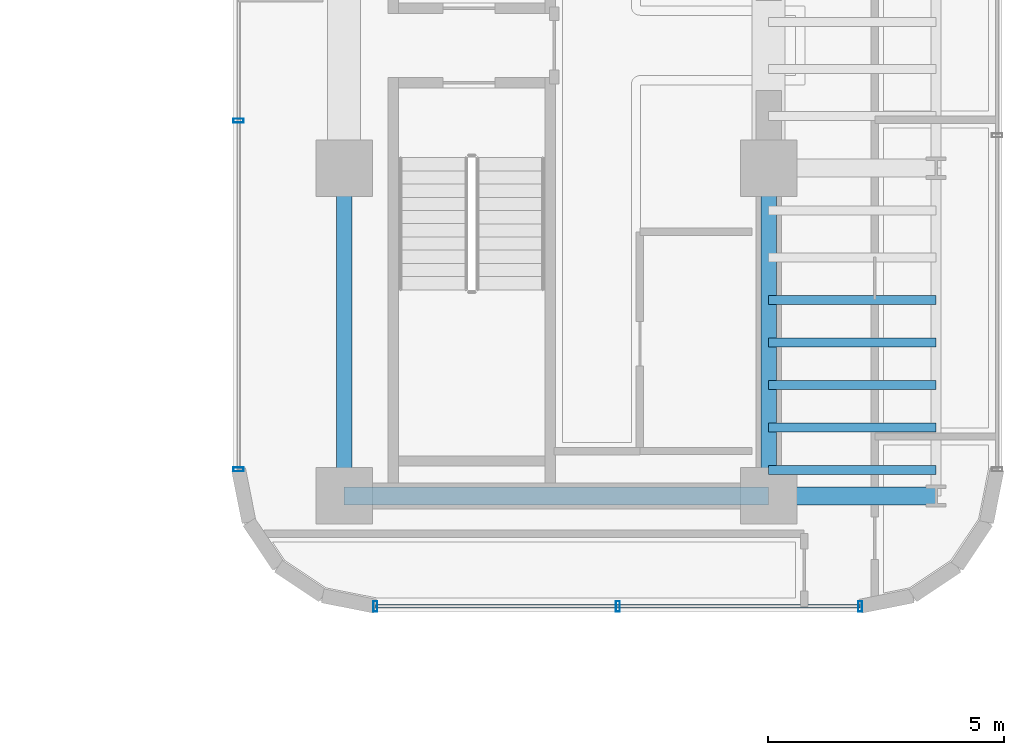
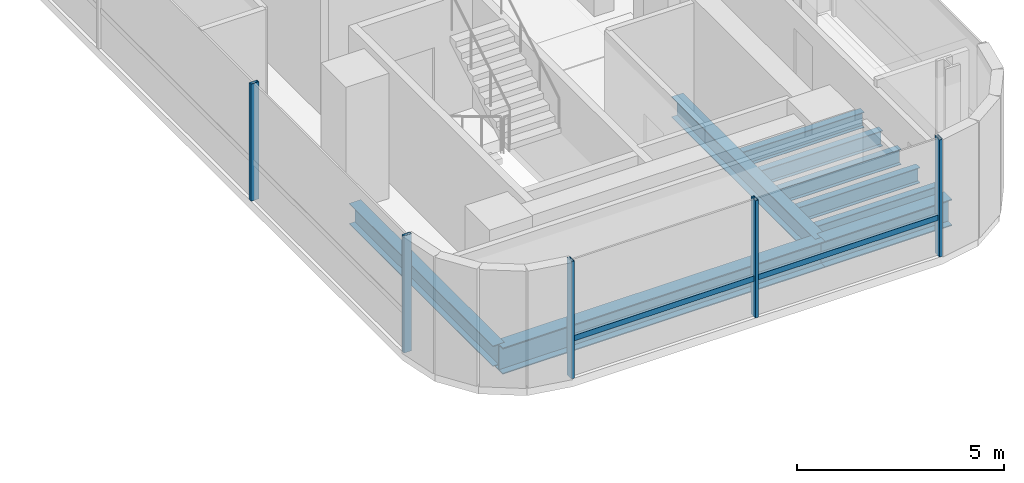
# One storey, part 12 of 33: 9 beams, 6 members, 2 elements without a shape of their own.
"""IFC4 building model written with IfcOpenShell, lengths in metres."""

import ifcopenshell
import ifcopenshell.guid

model = None  # the IFC model being written
_history = None  # IfcOwnerHistory: only IFC2X3 demands one
_inside = {}  # id of a spatial element -> (the spatial element, [elements in it])
_under = {}  # id of a project, library or spatial element -> (it, [spatial elements below it])
_declared = {}  # id of a project -> (the project, [libraries it declares])
_typed = {}  # id of a type object -> (the type object, [elements of that type])
_made_of = {}  # id of a material, layer set ... -> (it, [elements and type objects made of it])


def new_model(schema):
    """Start an empty IFC model of exactly this schema.

    Asked for "IFC4X3", IfcOpenShell would pick the latest addendum, in which some entities
    have other attributes; the version numbers below select the first issue.
    IFC2X3 requires an IfcOwnerHistory on every rooted entity: one is made here for all.
    """
    global model, _history
    if schema == "IFC4X3":
        model = ifcopenshell.file(schema_version=(4, 3, 0, 0))
    else:
        model = ifcopenshell.file(schema=schema)
    _inside.clear()
    _under.clear()
    _declared.clear()
    _typed.clear()
    _made_of.clear()
    _history = None
    if model.schema == "IFC2X3":
        org = make("IfcOrganization", Name="unknown")
        user = make(
            "IfcPersonAndOrganization",
            ThePerson=make("IfcPerson", FamilyName="unknown"),
            TheOrganization=org,
        )
        app = make(
            "IfcApplication",
            ApplicationDeveloper=org,
            Version="unknown",
            ApplicationFullName="unknown",
            ApplicationIdentifier="unknown",
        )
        _history = make(
            "IfcOwnerHistory",
            OwningUser=user,
            OwningApplication=app,
            ChangeAction="ADDED",
            CreationDate=0,
        )
    return model


def make(cls, **values):
    """One entity of the class cls with the attributes given. An attribute that is None is left unset."""
    return model.create_entity(
        cls, **{name: value for name, value in values.items() if value is not None}
    )


def rooted(cls, **values):
    """An entity with a GlobalId (a new one), such as an element, a storey or a relation."""
    return make(cls, GlobalId=ifcopenshell.guid.new(), OwnerHistory=_history, **values)


def si_unit(unit_type, name, prefix=None):
    """IfcSIUnit, for example si_unit("LENGTHUNIT", "METRE", prefix="MILLI")."""
    return make("IfcSIUnit", UnitType=unit_type, Prefix=prefix, Name=name)


def assignment(units):
    """IfcUnitAssignment: the units of a project."""
    return None if units is None else make("IfcUnitAssignment", Units=units)


def point(xyz):
    """IfcCartesianPoint."""
    return None if xyz is None else make("IfcCartesianPoint", Coordinates=xyz)


def direction(xyz):
    """IfcDirection."""
    return None if xyz is None else make("IfcDirection", DirectionRatios=xyz)


def frame(location, z_axis=None, x_axis=None):
    """IfcAxis2Placement3D, a coordinate frame: its origin and axes. An axis left out is left unset."""
    return make(
        "IfcAxis2Placement3D",
        Location=point(location),
        Axis=direction(z_axis),
        RefDirection=direction(x_axis),
    )


def frame_2d(location, x_axis=None):
    """IfcAxis2Placement2D, a coordinate frame in the plane: its origin and x axis."""
    return make(
        "IfcAxis2Placement2D", Location=point(location), RefDirection=direction(x_axis)
    )


def origin():
    """The frame at (0, 0, 0) with its axes left unset."""
    return frame((0.0, 0.0, 0.0))


def origin_2d():
    """The frame at (0, 0) in the plane with its x axis left unset."""
    return frame_2d((0.0, 0.0))


def place(relative_to, where):
    """IfcLocalPlacement: puts the frame where relative to a parent placement (None: the world)."""
    return make(
        "IfcLocalPlacement", PlacementRelTo=relative_to, RelativePlacement=where
    )


def context(
    kind, dimensions, precision=None, world=None, true_north=None, identifier=None
):
    """IfcGeometricRepresentationContext, for example the 3D "Model" context."""
    return make(
        "IfcGeometricRepresentationContext",
        ContextIdentifier=identifier,
        ContextType=kind,
        CoordinateSpaceDimension=dimensions,
        Precision=precision,
        WorldCoordinateSystem=world,
        TrueNorth=true_north,
    )


def subcontext(parent, identifier, kind, view, scale=None):
    """IfcGeometricRepresentationSubContext, for example "Body" below "Model"."""
    return make(
        "IfcGeometricRepresentationSubContext",
        ContextIdentifier=identifier,
        ContextType=kind,
        ParentContext=parent,
        TargetScale=scale,
        TargetView=view,
    )


def project(units=None, contexts=None):
    """IfcProject with its units and contexts."""
    return rooted(
        "IfcProject",
        Name="project",
        RepresentationContexts=contexts,
        UnitsInContext=assignment(units),
    )


def spatial(cls, under=None, at=None, **own):
    """A site, building, storey or space (cls), placed at a placement, below another one or the project."""
    s = rooted(cls, ObjectPlacement=at, **own)
    if under is not None:
        _under.setdefault(under.id(), (under, []))[1].append(s)
    return s


def profile(cls, at=None, kind="AREA", **sizes):
    """A parametric profile (cls). Its sizes go by their IFC names, for example OverallWidth=200.0."""
    return make(cls, ProfileType=kind, Position=at, **sizes)


def hollow_rectangle(**sizes):
    """IfcRectangleHollowProfileDef."""
    return profile("IfcRectangleHollowProfileDef", **sizes)


def i_section(**sizes):
    """IfcIShapeProfileDef."""
    return profile("IfcIShapeProfileDef", **sizes)


def extrude(swept, where, along, depth):
    """IfcExtrudedAreaSolid: the profile swept, set in the frame where, extruded along a direction by depth."""
    return make(
        "IfcExtrudedAreaSolid",
        SweptArea=swept,
        Position=where,
        ExtrudedDirection=direction(along),
        Depth=depth,
    )


def shape(context_of_items, identifier, shape_type, items):
    """IfcShapeRepresentation: the items that make up one representation, for example the "Body"."""
    return make(
        "IfcShapeRepresentation",
        ContextOfItems=context_of_items,
        RepresentationIdentifier=identifier,
        RepresentationType=shape_type,
        Items=items,
    )


def source(mapping_origin, context_of_items, identifier, shape_type, items):
    """IfcRepresentationMap: a shape defined once, which mapped items show again and again."""
    return make(
        "IfcRepresentationMap",
        MappingOrigin=mapping_origin,
        MappedRepresentation=shape(context_of_items, identifier, shape_type, items),
    )


def transform(
    local_origin,
    x_axis=None,
    y_axis=None,
    z_axis=None,
    scale=None,
    scale2=None,
    scale3=None,
    uniform=True,
):
    """IfcCartesianTransformationOperator3D, or its non-uniform kind. x_axis, y_axis, z_axis: its Axis1, 2, 3."""
    if uniform:
        return make(
            "IfcCartesianTransformationOperator3D",
            Axis1=direction(x_axis),
            Axis2=direction(y_axis),
            LocalOrigin=point(local_origin),
            Scale=scale,
            Axis3=direction(z_axis),
        )
    return make(
        "IfcCartesianTransformationOperator3DnonUniform",
        Axis1=direction(x_axis),
        Axis2=direction(y_axis),
        LocalOrigin=point(local_origin),
        Scale=scale,
        Axis3=direction(z_axis),
        Scale2=scale2,
        Scale3=scale3,
    )


def mapped(mapping_source, mapping_target):
    """IfcMappedItem: shows the shape of a source again, moved by a transform."""
    return make(
        "IfcMappedItem", MappingSource=mapping_source, MappingTarget=mapping_target
    )


def material(Name=None, Category=None):
    """IfcMaterial."""
    return make("IfcMaterial", Name=Name, Category=Category)


def material_profile(
    of_material, cross_section, Name=None, Category=None, Priority=None
):
    """IfcMaterialProfile: a cross section and its material."""
    return make(
        "IfcMaterialProfile",
        Name=Name,
        Material=of_material,
        Profile=cross_section,
        Priority=Priority,
        Category=Category,
    )


def profile_set(profiles, Name=None, composite=None):
    """IfcMaterialProfileSet."""
    return make(
        "IfcMaterialProfileSet",
        Name=Name,
        MaterialProfiles=profiles,
        CompositeProfile=composite,
    )


def made_of(thing, what):
    """Note that an element or type object is made of a material, layer set ...; save() writes the relation."""
    if what is not None:
        _made_of.setdefault(what.id(), (what, []))[1].append(thing)
    return thing


def type_object(cls, material=None, **own):
    """A type object (cls), such as IfcWallType, which elements share."""
    return made_of(rooted(cls, **own), material)


def element(
    cls,
    number,
    at=None,
    inside=None,
    cuts=None,
    type_object=None,
    material=None,
    context=None,
    identifier="Body",
    shape_type=None,
    held_by="IfcProductDefinitionShape",
    body=None,
    shapes=None,
    **own,
):
    """One element of the class cls, such as IfcWall. Its Tag is "e" and its number.

    at: its placement. inside: the storey or other place that contains it. cuts: it is an
    opening in that element (IfcRelVoidsElement). A single representation is given by context,
    identifier, shape_type and body (its items); several are given by shapes. held_by: the class
    of the entity that holds the representations. save() writes the other relations.
    """
    e = rooted(cls, Tag="e%d" % number, ObjectPlacement=at, **own)
    if body is not None:
        shapes = [shape(context, identifier, shape_type, body)]
    if shapes is not None:
        e.Representation = make(held_by, Representations=shapes)
    if inside is not None:
        _inside.setdefault(inside.id(), (inside, []))[1].append(e)
    if cuts is not None:
        rooted(
            "IfcRelVoidsElement", RelatingBuildingElement=cuts, RelatedOpeningElement=e
        )
    if type_object is not None:
        _typed.setdefault(type_object.id(), (type_object, []))[1].append(e)
    return made_of(e, material)


def aggregate(whole, parts):
    """IfcRelAggregates: a whole, such as a stair, and the parts it consists of."""
    return rooted("IfcRelAggregates", RelatingObject=whole, RelatedObjects=parts)


def save(model, path):
    """Write the relations noted so far, then the file.

    IfcRelAggregates (storeys below a building ...), IfcRelContainedInSpatialStructure (elements
    in a storey), IfcRelDefinesByType, IfcRelAssociatesMaterial and IfcRelDeclares: one each for
    every whole, place, type object, material and project.
    """
    for whole, parts in _under.values():
        aggregate(whole, parts)
    for where, things in _inside.values():
        rooted(
            "IfcRelContainedInSpatialStructure",
            RelatedElements=things,
            RelatingStructure=where,
        )
    for kind, things in _typed.values():
        rooted("IfcRelDefinesByType", RelatedObjects=things, RelatingType=kind)
    for what, things in _made_of.values():
        rooted("IfcRelAssociatesMaterial", RelatedObjects=things, RelatingMaterial=what)
    for by, libraries in _declared.values():
        rooted("IfcRelDeclares", RelatingContext=by, RelatedDefinitions=libraries)
    model.write(path)


model = new_model("IFC4")

# Units and contexts
model_context = context("Model", 3, precision=1e-05, world=origin(), true_north=direction((0.0, 1.0)))
body_context = subcontext(model_context, "Body", "Model", "MODEL_VIEW")
ifc_project = project(units=[si_unit("LENGTHUNIT", "METRE"), si_unit("AREAUNIT", "SQUARE_METRE"), si_unit("VOLUMEUNIT", "CUBIC_METRE"), si_unit("PLANEANGLEUNIT", "RADIAN"), si_unit("MASSUNIT", "GRAM", prefix="KILO")], contexts=[model_context])

# Site, building, storey
site_placement = place(None, origin())
site = spatial("IfcSite", under=ifc_project, at=site_placement, CompositionType="ELEMENT")
building_placement = place(site_placement, origin())
building = spatial("IfcBuilding", under=site, at=building_placement, Name="Valdorenza Pilgrim Sanctuary Tower", CompositionType="ELEMENT")
storey_placement = place(building_placement, frame((0.0, 0.0, 157.5)))
storey = spatial("IfcBuildingStorey", under=building, at=storey_placement, Name="L40", CompositionType="ELEMENT", Elevation=157.5)

# Beams
ifc_material_1 = material(Name="Steel ASTM A992 Grade 50", Category="steel")
ifc_material_profile_1 = material_profile(ifc_material_1, i_section(OverallWidth=0.323974609375, OverallDepth=0.611083984375, WebThickness=0.0126953125, FlangeThickness=0.01904296875, at=origin_2d()), Name="W24X104")
ifc_profile_set_1 = profile_set([ifc_material_profile_1], Name="Steel ASTM A992 Grade 50")
beam_type_1 = type_object("IfcBeamType", Name="STR-BM-GRD-W24B", PredefinedType="BEAM", material=ifc_profile_set_1)
shared_shape_1 = source(origin(), body_context, "Body", "SweptSolid", [
    extrude(i_section(OverallWidth=0.323974609375, OverallDepth=0.611083984375, WebThickness=0.0126953125, FlangeThickness=0.01904296875, at=origin_2d()), origin(), (0.0, 0.0, 1.0), 6.949951171875),
])
for number, where, z_axis, x_axis, name in (
    (1, (15.85009765625, -9.550048828125, -0.54541015625), (0.0, 1.0, 0.0), (-1.0, 0.0, 0.0), "L40 Core Tie Girder CB-W-S1M0"),
    (2, (24.85009765625, -9.550048828125, -0.54541015625), (0.0, 1.0, 0.0), (-1.0, 0.0, 0.0), "L40 Core Tie Girder CB-E-S1M0"),
):
    element("IfcBeam", number, at=place(storey_placement, frame(where, z_axis=z_axis, x_axis=x_axis)), inside=storey, type_object=beam_type_1, Name=name, PredefinedType="BEAM", context=body_context, shape_type="MappedRepresentation", body=[
        mapped(shared_shape_1, transform((0.0, 0.0, 0.0), x_axis=(1.0, 0.0, 0.0), y_axis=(0.0, 1.0, 0.0), z_axis=(0.0, 0.0, 1.0), scale=1.0)),
    ])
ifc_material_profile_2 = material_profile(ifc_material_1, i_section(OverallWidth=0.382080078125, OverallDepth=0.779052734375, WebThickness=0.01806640625, FlangeThickness=0.030029296875, at=origin_2d()), Name="W30X191")
ifc_profile_set_2 = profile_set([ifc_material_profile_2], Name="Steel ASTM A992 Grade 50")
beam_type_2 = type_object("IfcBeamType", Name="STR-BM-GRD-W30", PredefinedType="BEAM", material=ifc_profile_set_2)
shared_shape_2 = source(origin(), body_context, "Body", "SweptSolid", [
    extrude(i_section(OverallWidth=0.382080078125, OverallDepth=0.779052734375, WebThickness=0.01806640625, FlangeThickness=0.030029296875, at=origin_2d()), origin(), (0.0, 0.0, 1.0), 9.0),
])
beam_1_placement = place(storey_placement, frame((15.85009765625, -9.550048828125, -0.62939453125), z_axis=(1.0, 0.0, 0.0), x_axis=(0.0, 1.0, 0.0)))
element("IfcBeam", 3, at=beam_1_placement, inside=storey, type_object=beam_type_2, Name="L40 Floor Girder CB-XC-S1", PredefinedType="BEAM", context=body_context, shape_type="MappedRepresentation", body=[
    mapped(shared_shape_2, transform((0.0, 0.0, 0.0), x_axis=(1.0, 0.0, 0.0), y_axis=(0.0, 1.0, 0.0), z_axis=(0.0, 0.0, 1.0), scale=1.0)),
])
shared_shape_3 = source(origin(), body_context, "Body", "SweptSolid", [
    extrude(i_section(OverallWidth=0.382080078125, OverallDepth=0.779052734375, WebThickness=0.01806640625, FlangeThickness=0.030029296875, at=origin_2d()), origin(), (0.0, 0.0, 1.0), 3.5498046875),
])
beam_2_placement = place(storey_placement, frame((24.85009765625, -9.550048828125, -0.62939453125), z_axis=(1.0, 0.0, 0.0), x_axis=(0.0, 1.0, 0.0)))
element("IfcBeam", 4, at=beam_2_placement, inside=storey, type_object=beam_type_2, Name="L40 Floor Girder WB-XE-S1", PredefinedType="BEAM", context=body_context, shape_type="MappedRepresentation", body=[
    mapped(shared_shape_3, transform((0.0, 0.0, 0.0), x_axis=(1.0, 0.0, 0.0), y_axis=(0.0, 1.0, 0.0), z_axis=(0.0, 0.0, 1.0), scale=1.0)),
])
ifc_material_profile_3 = material_profile(ifc_material_1, i_section(OverallWidth=0.19091796875, OverallDepth=0.45703125, WebThickness=0.009033203125, FlangeThickness=0.014404296875, at=origin_2d()), Name="W18X50")
ifc_profile_set_3 = profile_set([ifc_material_profile_3], Name="Steel ASTM A992 Grade 50")
beam_type_3 = type_object("IfcBeamType", Name="STR-BM-JST-W18B", PredefinedType="JOIST", material=ifc_profile_set_3)
shared_shape_4 = source(origin(), body_context, "Body", "SweptSolid", [
    extrude(i_section(OverallWidth=0.19091796875, OverallDepth=0.45703125, WebThickness=0.009033203125, FlangeThickness=0.014404296875, at=origin_2d()), origin(), (0.0, 0.0, 1.0), 3.5498046875),
])
for number, where, z_axis, x_axis, name in (
    (5, (24.85009765625, -9.0, -0.468505859375), (1.0, 0.0, 0.0), (0.0, 1.0, 0.0), "L40 Composite Floor Joist JST-WB-1"),
    (6, (24.85009765625, -8.10009765625, -0.468505859375), (1.0, 0.0, 0.0), (0.0, 1.0, 0.0), "L40 Composite Floor Joist JST-WB-2"),
    (7, (24.85009765625, -7.199951171875, -0.468505859375), (1.0, 0.0, 0.0), (0.0, 1.0, 0.0), "L40 Composite Floor Joist JST-WB-3"),
    (8, (24.85009765625, -6.300048828125, -0.468505859375), (1.0, 0.0, 0.0), (0.0, 1.0, 0.0), "L40 Composite Floor Joist JST-WB-4"),
    (9, (24.85009765625, -5.39990234375, -0.468505859375), (1.0, 0.0, 0.0), (0.0, 1.0, 0.0), "L40 Composite Floor Joist JST-WB-5"),
):
    element("IfcBeam", number, at=place(storey_placement, frame(where, z_axis=z_axis, x_axis=x_axis)), inside=storey, type_object=beam_type_3, Name=name, PredefinedType="JOIST", context=body_context, shape_type="MappedRepresentation", body=[
        mapped(shared_shape_4, transform((0.0, 0.0, 0.0), x_axis=(1.0, 0.0, 0.0), y_axis=(0.0, 1.0, 0.0), z_axis=(0.0, 0.0, 1.0), scale=1.0)),
    ])

# Curtain wall, members
ifc_material_2 = material(Name="Curtain-wall IGU glazing", Category="glass")
curtain_wall_type = type_object("IfcCurtainWallType", Name="CW-SYS-03", PredefinedType="NOTDEFINED", material=ifc_material_2)
curtain_wall_1_placement = place(storey_placement, origin())
curtain_wall_1 = element("IfcCurtainWall", 10, at=curtain_wall_1_placement, inside=storey, type_object=curtain_wall_type, Name="L40 Curtain Wall CW-L40-2-1", PredefinedType="NOTDEFINED")
ifc_material_3 = material(Name="Anodised aluminium AW-6060", Category="aluminium")
ifc_material_profile_4 = material_profile(ifc_material_3, hollow_rectangle(XDim=0.0849609375, YDim=0.219970703125, WallThickness=0.0048828125, at=origin_2d()), Name="ALU-M 220x85x5")
ifc_profile_set_4 = profile_set([ifc_material_profile_4], Name="Anodised aluminium AW-6060")
member_type_1 = type_object("IfcMemberType", Name="CW-MUL-03", PredefinedType="MULLION", material=ifc_profile_set_4)
shared_shape_5 = source(origin(), body_context, "Body", "SweptSolid", [
    extrude(hollow_rectangle(XDim=0.0849609375, YDim=0.219970703125, WallThickness=0.0048828125, at=origin_2d()), origin(), (0.0, 0.0, 1.0), 3.4599609375),
])
member_1_placement = place(storey_placement, frame((13.610107421875, -8.9892578125, 0.0), z_axis=(0.0, 0.0, 1.0), x_axis=(0.0, 1.0, 0.0)))
member_1 = element("IfcMember", 11, at=member_1_placement, type_object=member_type_1, Name="CW-L40-2-1 Mullion 1", PredefinedType="MULLION", context=body_context, shape_type="MappedRepresentation", body=[
    mapped(shared_shape_5, transform((0.0, 0.0, 0.0), x_axis=(1.0, 0.0, 0.0), y_axis=(0.0, 1.0, 0.0), z_axis=(0.0, 0.0, 1.0), scale=1.0)),
])
member_2_placement = place(storey_placement, frame((13.610107421875, -1.593017578125, 0.0), z_axis=(0.0, 0.0, 1.0), x_axis=(0.0, 1.0, 0.0)))
member_2 = element("IfcMember", 12, at=member_2_placement, type_object=member_type_1, Name="CW-L40-2-1 Mullion 2", PredefinedType="MULLION", context=body_context, shape_type="MappedRepresentation", body=[
    mapped(shared_shape_5, transform((0.0, 0.0, 0.0), x_axis=(1.0, 0.0, 0.0), y_axis=(0.0, 1.0, 0.0), z_axis=(0.0, 0.0, 1.0), scale=1.0)),
])
aggregate(curtain_wall_1, [member_1, member_2])

curtain_wall_2_placement = place(storey_placement, origin())
curtain_wall_2 = element("IfcCurtainWall", 13, at=curtain_wall_2_placement, inside=storey, type_object=curtain_wall_type, Name="L40 Curtain Wall CW-L40-2-16", PredefinedType="NOTDEFINED")
member_3_placement = place(storey_placement, frame((26.789306640625, -11.889892578125, 0.0), z_axis=(0.0, 0.0, 1.0), x_axis=(-1.0, 0.0, 0.0)))
member_3 = element("IfcMember", 14, at=member_3_placement, type_object=member_type_1, Name="CW-L40-2-16 Mullion 1", PredefinedType="MULLION", context=body_context, shape_type="MappedRepresentation", body=[
    mapped(shared_shape_5, transform((0.0, 0.0, 0.0), x_axis=(1.0, 0.0, 0.0), y_axis=(0.0, 1.0, 0.0), z_axis=(0.0, 0.0, 1.0), scale=1.0)),
])
member_4_placement = place(storey_placement, frame((21.64990234375, -11.889892578125, 0.0), z_axis=(0.0, 0.0, 1.0), x_axis=(-1.0, 0.0, 0.0)))
member_4 = element("IfcMember", 15, at=member_4_placement, type_object=member_type_1, Name="CW-L40-2-16 Mullion 2", PredefinedType="MULLION", context=body_context, shape_type="MappedRepresentation", body=[
    mapped(shared_shape_5, transform((0.0, 0.0, 0.0), x_axis=(1.0, 0.0, 0.0), y_axis=(0.0, 1.0, 0.0), z_axis=(0.0, 0.0, 1.0), scale=1.0)),
])
member_5_placement = place(storey_placement, frame((16.5107421875, -11.889892578125, 0.0), z_axis=(0.0, 0.0, 1.0), x_axis=(-1.0, 0.0, 0.0)))
member_5 = element("IfcMember", 16, at=member_5_placement, type_object=member_type_1, Name="CW-L40-2-16 Mullion 3", PredefinedType="MULLION", context=body_context, shape_type="MappedRepresentation", body=[
    mapped(shared_shape_5, transform((0.0, 0.0, 0.0), x_axis=(1.0, 0.0, 0.0), y_axis=(0.0, 1.0, 0.0), z_axis=(0.0, 0.0, 1.0), scale=1.0)),
])
ifc_material_profile_5 = material_profile(ifc_material_3, hollow_rectangle(XDim=0.074951171875, YDim=0.159912109375, WallThickness=0.00390625, at=origin_2d()), Name="ALU-T 160x75x4")
ifc_profile_set_5 = profile_set([ifc_material_profile_5], Name="Anodised aluminium AW-6060")
member_type_2 = type_object("IfcMemberType", Name="CW-TRN-03", PredefinedType="USERDEFINED", material=ifc_profile_set_5)
shared_shape_6 = source(origin(), body_context, "Body", "SweptSolid", [
    extrude(hollow_rectangle(XDim=0.074951171875, YDim=0.159912109375, WallThickness=0.00390625, at=origin_2d()), origin(), (0.0, 0.0, 1.0), 10.278564453125),
])
member_6_placement = place(storey_placement, frame((26.789306640625, -11.889892578125, 1.1201171875), z_axis=(-1.0, 0.0, 0.0), x_axis=(0.0, -1.0, 0.0)))
member_6 = element("IfcMember", 17, at=member_6_placement, type_object=member_type_2, Name="CW-L40-2-16 Transom 1", ObjectType="TRANSOM", PredefinedType="USERDEFINED", context=body_context, shape_type="MappedRepresentation", body=[
    mapped(shared_shape_6, transform((0.0, 0.0, 0.0), x_axis=(1.0, 0.0, 0.0), y_axis=(0.0, 1.0, 0.0), z_axis=(0.0, 0.0, 1.0), scale=1.0)),
])
aggregate(curtain_wall_2, [member_3, member_4, member_5, member_6])

save(model, "model.ifc")
